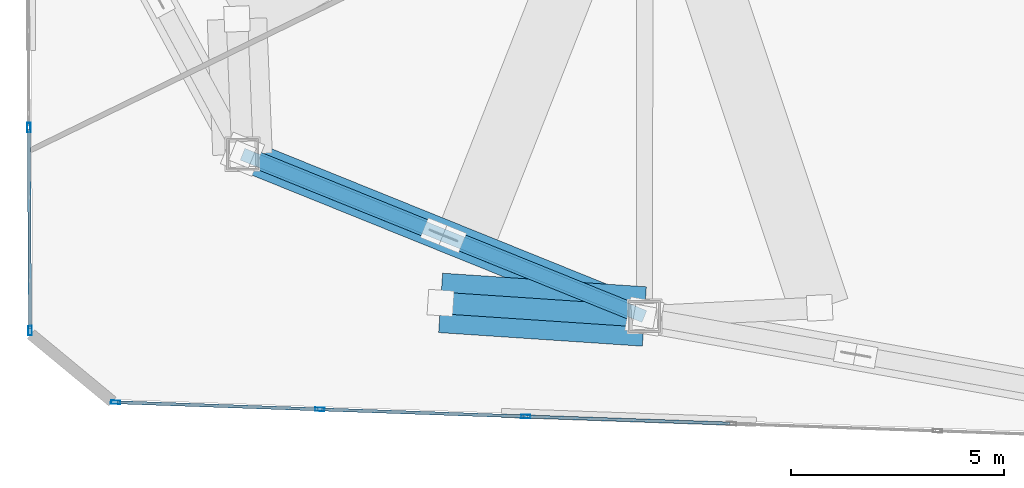
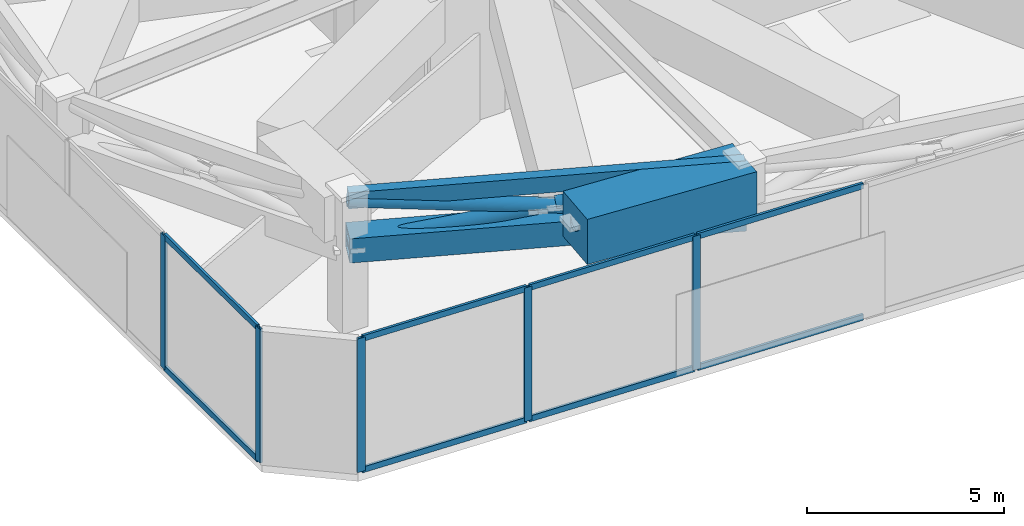
# One storey, part 2 of 25: 18 members, 2 beams, 2 elements without a shape of their own.
"""IFC4 building model written with IfcOpenShell, lengths in metres."""

from ifc_helpers import new_model, si_unit, direction, frame, origin, origin_2d, place, context, subcontext, project, spatial, rectangle, hollow_rectangle, hollow_circle, extrude, source, transform, mapped, material, layer, layer_set, material_profile, profile_set, type_object, type_shapes, element, aggregate, save


model = new_model("IFC4")

# Units and contexts
model_context = context("Model", 3, precision=1e-05, world=origin(), true_north=direction((0.0, 1.0)))
body_context = subcontext(model_context, "Body", "Model", "MODEL_VIEW")
ifc_project = project(units=[si_unit("LENGTHUNIT", "METRE"), si_unit("AREAUNIT", "SQUARE_METRE"), si_unit("VOLUMEUNIT", "CUBIC_METRE"), si_unit("PLANEANGLEUNIT", "RADIAN"), si_unit("MASSUNIT", "GRAM", prefix="KILO")], contexts=[model_context])

# Site, building, storey
site_placement = place(None, origin())
site = spatial("IfcSite", under=ifc_project, at=site_placement, CompositionType="ELEMENT")
building_placement = place(site_placement, origin())
building = spatial("IfcBuilding", under=site, at=building_placement, Name="Talar Marvaseh", CompositionType="ELEMENT")
storey_placement = place(building_placement, frame((0.0, 0.0, 84.800048828125)))
storey = spatial("IfcBuildingStorey", under=building, at=storey_placement, Name="L21", CompositionType="ELEMENT", Elevation=84.800048828125)

# Beams
ifc_material_1 = material(Name="Concrete C70/85", Category="concrete")
ifc_material_profile_1 = material_profile(ifc_material_1, rectangle(XDim=1.39990234375, YDim=1.39990234375, at=origin_2d()), Name="RC1400x1400")
ifc_profile_set_1 = profile_set([ifc_material_profile_1], Name="Concrete C70/85")
beam_type_1 = type_object("IfcBeamType", Name="Setback Deep Concrete Transfer Girder RC1400x1400", PredefinedType="BEAM", material=ifc_profile_set_1)
beam_1_placement = place(storey_placement, frame((18.68310546875, 12.97900390625, 3.449951171875), z_axis=(-0.997776827608, 0.066643846596, 0.0), x_axis=(-0.066643846596, -0.997776827608, 0.0)))
element("IfcBeam", 1, at=beam_1_placement, inside=storey, type_object=beam_type_1, Name="L21 Setback Cantilever Transfer Girder 7", PredefinedType="BEAM", context=body_context, shape_type="SweptSolid", body=[
    extrude(rectangle(XDim=1.39990234375, YDim=1.39990234375, at=origin_2d()), origin(), (0.0, 0.0, 1.0), 4.802734375),
])
ifc_material_2 = material(Name="Steel S355", Category="steel")
ifc_material_profile_2 = material_profile(ifc_material_2, hollow_rectangle(XDim=0.300048828125, YDim=0.5, WallThickness=0.02001953125, at=origin_2d()), Name="RHS500x300x20")
ifc_profile_set_2 = profile_set([ifc_material_profile_2], Name="Steel S355")
beam_type_2 = type_object("IfcBeamType", Name="Zone 1 Perimeter Spandrel Beam RHS500x300x20", PredefinedType="SPANDREL", material=ifc_profile_set_2)
beam_2_placement = place(storey_placement, frame((18.68310546875, 12.97900390625, 3.89990234375), z_axis=(-0.927239278118, 0.374469386084, 0.0), x_axis=(-0.374469386084, -0.927239278118, 0.0)))
element("IfcBeam", 2, at=beam_2_placement, inside=storey, type_object=beam_type_2, Name="L21 Zone 1 Perimeter Spandrel Beam RHS500x300x20", PredefinedType="SPANDREL", context=body_context, shape_type="SweptSolid", body=[
    extrude(hollow_rectangle(XDim=0.300048828125, YDim=0.5, WallThickness=0.02001953125, at=origin_2d()), origin(), (0.0, 0.0, 1.0), 10.19287109375),
])

# Members
ifc_material_3 = material(Name="Steel S460", Category="steel")
ifc_material_profile_3 = material_profile(ifc_material_3, hollow_circle(Radius=0.25390625, WallThickness=0.02001953125, at=origin_2d()), Name="CHS508x20")
ifc_profile_set_3 = profile_set([ifc_material_profile_3], Name="Steel S460")
member_type_1 = type_object("IfcMemberType", Name="Crown Frame Diagonal Brace CHS508x20", PredefinedType="BRACE", material=ifc_profile_set_3)
shared_shape_1 = source(origin(), body_context, "Body", "SweptSolid", [
    extrude(hollow_circle(Radius=0.25390625, WallThickness=0.02001953125, at=origin_2d()), origin(), (0.0, 0.0, 1.0), 4.927001953125),
])
type_shapes(member_type_1, [shared_shape_1])
member_1_placement = place(storey_placement, frame((18.68310546875, 12.97900390625, 2.550048828125), z_axis=(-0.972598741645, 0.064962143382, 0.223229943505), x_axis=(-0.066643846596, -0.997776827608, 0.0)))
element("IfcMember", 3, at=member_1_placement, inside=storey, type_object=member_type_1, Name="L21 Setback Transfer Raked Strut 7", PredefinedType="BRACE", context=body_context, shape_type="MappedRepresentation", body=[
    mapped(shared_shape_1, transform((0.0, 0.0, 0.0), x_axis=(1.0, 0.0, 0.0), y_axis=(0.0, 1.0, 0.0), z_axis=(0.0, 0.0, 1.0), scale=1.0)),
])
ifc_material_profile_4 = material_profile(ifc_material_3, hollow_rectangle(XDim=0.75, YDim=0.75, WallThickness=0.0400390625, at=origin_2d()), Name="BOX750x750x40")
ifc_profile_set_4 = profile_set([ifc_material_profile_4], Name="Steel S460")
member_type_2 = type_object("IfcMemberType", Name="Belt Truss Chord Member BOX750x750x40", PredefinedType="CHORD", material=ifc_profile_set_4)
shared_shape_2 = source(origin(), body_context, "Body", "SweptSolid", [
    extrude(hollow_rectangle(XDim=0.75, YDim=0.75, WallThickness=0.0400390625, at=origin_2d()), origin(), (0.0, 0.0, 1.0), 10.19287109375),
])
type_shapes(member_type_2, [shared_shape_2])
member_2_placement = place(storey_placement, frame((18.68310546875, 12.97900390625, 2.5), z_axis=(-0.927239278118, 0.374469386084, 0.0), x_axis=(-0.374469386084, -0.927239278118, 0.0)))
element("IfcMember", 4, at=member_2_placement, inside=storey, type_object=member_type_2, Name="L21 Belt Truss Bottom Chord 6", PredefinedType="CHORD", context=body_context, shape_type="MappedRepresentation", body=[
    mapped(shared_shape_2, transform((0.0, 0.0, 0.0), x_axis=(1.0, 0.0, 0.0), y_axis=(0.0, 1.0, 0.0), z_axis=(0.0, 0.0, 1.0), scale=1.0)),
])
ifc_material_profile_5 = material_profile(ifc_material_3, hollow_circle(Radius=0.203125, WallThickness=0.01611328125, at=origin_2d()), Name="CHS406x16")
ifc_profile_set_5 = profile_set([ifc_material_profile_5], Name="Steel S460")
member_type_3 = type_object("IfcMemberType", Name="Belt Truss Diagonal Brace CHS406x16", PredefinedType="BRACE", material=ifc_profile_set_5)
shared_shape_3 = source(origin(), body_context, "Body", "SweptSolid", [
    extrude(hollow_circle(Radius=0.203125, WallThickness=0.01611328125, at=origin_2d()), origin(), (0.0, 0.0, 1.0), 4.90087890625),
])
member_3_placement = place(storey_placement, frame((9.23193359375, 16.7958984375, 2.5), z_axis=(0.919208512609, -0.371230318446, 0.131315501801), x_axis=(0.374473019958, 0.927237810555, 0.0)))
element("IfcMember", 5, at=member_3_placement, inside=storey, type_object=member_type_3, Name="L21 Belt Truss Split Diagonal Lower 6", PredefinedType="BRACE", context=body_context, shape_type="MappedRepresentation", body=[
    mapped(shared_shape_3, transform((0.0, 0.0, 0.0), x_axis=(1.0, 0.0, 0.0), y_axis=(0.0, 1.0, 0.0), z_axis=(0.0, 0.0, 1.0), scale=1.0)),
])
shared_shape_4 = source(origin(), body_context, "Body", "SweptSolid", [
    extrude(hollow_circle(Radius=0.203125, WallThickness=0.01611328125, at=origin_2d()), origin(), (0.0, 0.0, 1.0), 10.28173828125),
])
member_4_placement = place(storey_placement, frame((18.68310546875, 12.97900390625, 2.5), z_axis=(-0.919213627034, 0.371228193972, 0.131285703241), x_axis=(-0.374469386084, -0.927239278118, 0.0)))
element("IfcMember", 6, at=member_4_placement, inside=storey, type_object=member_type_3, Name="L21 Belt Truss Continuous Diagonal 6", PredefinedType="BRACE", context=body_context, shape_type="MappedRepresentation", body=[
    mapped(shared_shape_4, transform((0.0, 0.0, 0.0), x_axis=(1.0, 0.0, 0.0), y_axis=(0.0, 1.0, 0.0), z_axis=(0.0, 0.0, 1.0), scale=1.0)),
])
shared_shape_5 = source(origin(), body_context, "Body", "SweptSolid", [
    extrude(hollow_circle(Radius=0.203125, WallThickness=0.01611328125, at=origin_2d()), origin(), (0.0, 0.0, 1.0), 4.901123046875),
])
type_shapes(member_type_3, [shared_shape_3, shared_shape_4, shared_shape_5])
member_5_placement = place(storey_placement, frame((14.177978515625, 14.79833984375, 3.20654296875), z_axis=(0.919222247914, -0.371215747654, 0.131260533423), x_axis=(0.374455572154, 0.927244856811, 0.0)))
element("IfcMember", 7, at=member_5_placement, inside=storey, type_object=member_type_3, Name="L21 Belt Truss Split Diagonal Upper 6", PredefinedType="BRACE", context=body_context, shape_type="MappedRepresentation", body=[
    mapped(shared_shape_5, transform((0.0, 0.0, 0.0), x_axis=(1.0, 0.0, 0.0), y_axis=(0.0, 1.0, 0.0), z_axis=(0.0, 0.0, 1.0), scale=1.0)),
])

# Curtain wall, members
ifc_material_4 = material(Name="Architectural Aluminium", Category="aluminium")
ifc_layer = layer(ifc_material_4, 0.219970703125)
ifc_layer_set = layer_set([ifc_layer], Name="Architectural Aluminium")
curtain_wall_type = type_object("IfcCurtainWallType", Name="Unitised Low-E Museum Curtain Wall Z1", PredefinedType="NOTDEFINED", material=ifc_layer_set)
curtain_wall_1_placement = place(storey_placement, origin())
curtain_wall_1 = element("IfcCurtainWall", 8, at=curtain_wall_1_placement, inside=storey, type_object=curtain_wall_type, Name="L21 Unitised Low-E Museum Curtain Wall Z1", PredefinedType="NOTDEFINED")
ifc_material_profile_6 = material_profile(ifc_material_4, hollow_rectangle(XDim=0.074951171875, YDim=0.179931640625, WallThickness=0.0048828125, at=origin_2d()), Name="RHS180x75x5")
ifc_profile_set_6 = profile_set([ifc_material_profile_6], Name="Architectural Aluminium")
member_type_4 = type_object("IfcMemberType", Name="Unitised Curtain Wall Transom RHS180x75x5", PredefinedType="USERDEFINED", material=ifc_profile_set_6)
shared_shape_6 = source(origin(), body_context, "Body", "SweptSolid", [
    extrude(hollow_rectangle(XDim=0.074951171875, YDim=0.179931640625, WallThickness=0.0048828125, at=origin_2d()), origin(), (0.0, 0.0, 1.0), 4.725341796875),
])
member_6_placement = place(storey_placement, frame((11.010009765625, 10.796630859375, 0.037353515625), z_axis=(-0.999395274355, 0.034771908165, 0.0), x_axis=(-0.034771908165, -0.999395274355, 0.0)))
member_6 = element("IfcMember", 9, at=member_6_placement, type_object=member_type_4, Name="CW-Z1 transom 5.1", ObjectType="TRANSOM", PredefinedType="USERDEFINED", context=body_context, shape_type="MappedRepresentation", body=[
    mapped(shared_shape_6, transform((0.0, 0.0, 0.0), x_axis=(1.0, 0.0, 0.0), y_axis=(0.0, 1.0, 0.0), z_axis=(0.0, 0.0, 1.0), scale=1.0)),
])
member_7_placement = place(storey_placement, frame((11.010009765625, 10.796630859375, 4.112548828125), z_axis=(-0.999395274355, 0.034771908165, 0.0), x_axis=(-0.034771908165, -0.999395274355, 0.0)))
member_7 = element("IfcMember", 10, at=member_7_placement, type_object=member_type_4, Name="CW-Z1 transom 5.2", ObjectType="TRANSOM", PredefinedType="USERDEFINED", context=body_context, shape_type="MappedRepresentation", body=[
    mapped(shared_shape_6, transform((0.0, 0.0, 0.0), x_axis=(1.0, 0.0, 0.0), y_axis=(0.0, 1.0, 0.0), z_axis=(0.0, 0.0, 1.0), scale=1.0)),
])
shared_shape_7 = source(origin(), body_context, "Body", "SweptSolid", [
    extrude(hollow_rectangle(XDim=0.074951171875, YDim=0.179931640625, WallThickness=0.0048828125, at=origin_2d()), origin(), (0.0, 0.0, 1.0), 4.765380859375),
])
member_8_placement = place(storey_placement, frame((20.69482421875, 10.4599609375, 0.037353515625), z_axis=(-0.999396530729, 0.034735779353, 0.0), x_axis=(-0.034735779353, -0.999396530729, 0.0)))
member_8 = element("IfcMember", 11, at=member_8_placement, type_object=member_type_4, Name="CW-Z1 transom 3.1", ObjectType="TRANSOM", PredefinedType="USERDEFINED", context=body_context, shape_type="MappedRepresentation", body=[
    mapped(shared_shape_7, transform((0.0, 0.0, 0.0), x_axis=(1.0, 0.0, 0.0), y_axis=(0.0, 1.0, 0.0), z_axis=(0.0, 0.0, 1.0), scale=1.0)),
])
member_9_placement = place(storey_placement, frame((20.69482421875, 10.4599609375, 4.112548828125), z_axis=(-0.999396530729, 0.034735779353, 0.0), x_axis=(-0.034735779353, -0.999396530729, 0.0)))
member_9 = element("IfcMember", 12, at=member_9_placement, type_object=member_type_4, Name="CW-Z1 transom 3.2", ObjectType="TRANSOM", PredefinedType="USERDEFINED", context=body_context, shape_type="MappedRepresentation", body=[
    mapped(shared_shape_7, transform((0.0, 0.0, 0.0), x_axis=(1.0, 0.0, 0.0), y_axis=(0.0, 1.0, 0.0), z_axis=(0.0, 0.0, 1.0), scale=1.0)),
])
member_10_placement = place(storey_placement, frame((15.8525390625, 10.62841796875, 0.037353515625), z_axis=(-0.999396530729, 0.034735779353, 0.0), x_axis=(-0.034735779353, -0.999396530729, 0.0)))
member_10 = element("IfcMember", 13, at=member_10_placement, type_object=member_type_4, Name="CW-Z1 transom 4.1", ObjectType="TRANSOM", PredefinedType="USERDEFINED", context=body_context, shape_type="MappedRepresentation", body=[
    mapped(shared_shape_7, transform((0.0, 0.0, 0.0), x_axis=(1.0, 0.0, 0.0), y_axis=(0.0, 1.0, 0.0), z_axis=(0.0, 0.0, 1.0), scale=1.0)),
])
member_11_placement = place(storey_placement, frame((15.8525390625, 10.62841796875, 4.112548828125), z_axis=(-0.999396530729, 0.034735779353, 0.0), x_axis=(-0.034735779353, -0.999396530729, 0.0)))
member_11 = element("IfcMember", 14, at=member_11_placement, type_object=member_type_4, Name="CW-Z1 transom 4.2", ObjectType="TRANSOM", PredefinedType="USERDEFINED", context=body_context, shape_type="MappedRepresentation", body=[
    mapped(shared_shape_7, transform((0.0, 0.0, 0.0), x_axis=(1.0, 0.0, 0.0), y_axis=(0.0, 1.0, 0.0), z_axis=(0.0, 0.0, 1.0), scale=1.0)),
])

curtain_wall_2_placement = place(storey_placement, origin())
curtain_wall_2 = element("IfcCurtainWall", 15, at=curtain_wall_2_placement, inside=storey, type_object=curtain_wall_type, Name="L21 Unitised Low-E Museum Curtain Wall Z1", PredefinedType="NOTDEFINED")
shared_shape_8 = source(origin(), body_context, "Body", "SweptSolid", [
    extrude(hollow_rectangle(XDim=0.074951171875, YDim=0.179931640625, WallThickness=0.0048828125, at=origin_2d()), origin(), (0.0, 0.0, 1.0), 4.696533203125),
])
type_shapes(member_type_4, [shared_shape_6, shared_shape_7, shared_shape_8])
member_12_placement = place(storey_placement, frame((4.234619140625, 12.685791015625, 0.037353515625), z_axis=(-0.006081916935, 0.999981504972, 0.0), x_axis=(-0.999981504972, -0.006081916935, 0.0)))
member_12 = element("IfcMember", 16, at=member_12_placement, type_object=member_type_4, Name="CW-Z1 transom 1.1", ObjectType="TRANSOM", PredefinedType="USERDEFINED", context=body_context, shape_type="MappedRepresentation", body=[
    mapped(shared_shape_8, transform((0.0, 0.0, 0.0), x_axis=(1.0, 0.0, 0.0), y_axis=(0.0, 1.0, 0.0), z_axis=(0.0, 0.0, 1.0), scale=1.0)),
])
member_13_placement = place(storey_placement, frame((4.234619140625, 12.685791015625, 4.112548828125), z_axis=(-0.006081916935, 0.999981504972, 0.0), x_axis=(-0.999981504972, -0.006081916935, 0.0)))
member_13 = element("IfcMember", 17, at=member_13_placement, type_object=member_type_4, Name="CW-Z1 transom 1.2", ObjectType="TRANSOM", PredefinedType="USERDEFINED", context=body_context, shape_type="MappedRepresentation", body=[
    mapped(shared_shape_8, transform((0.0, 0.0, 0.0), x_axis=(1.0, 0.0, 0.0), y_axis=(0.0, 1.0, 0.0), z_axis=(0.0, 0.0, 1.0), scale=1.0)),
])
ifc_material_profile_7 = material_profile(ifc_material_4, hollow_rectangle(XDim=0.080078125, YDim=0.219970703125, WallThickness=0.0048828125, at=origin_2d()), Name="RHS220x80x5")
ifc_profile_set_7 = profile_set([ifc_material_profile_7], Name="Architectural Aluminium")
member_type_5 = type_object("IfcMemberType", Name="Unitised Curtain Wall Heavy Mullion RHS220x80x5", PredefinedType="MULLION", material=ifc_profile_set_7)
shared_shape_9 = source(origin(), body_context, "Body", "SweptSolid", [
    extrude(hollow_rectangle(XDim=0.080078125, YDim=0.219970703125, WallThickness=0.0048828125, at=origin_2d()), origin(), (0.0, 0.0, 1.0), 4.14990234375),
])
type_shapes(member_type_5, [shared_shape_9])
member_14_placement = place(storey_placement, frame((4.23486328125, 12.645751953125, 0.0), z_axis=(0.0, 0.0, 1.0), x_axis=(-0.999981749429, -0.006041589923, 0.0)))
member_14 = element("IfcMember", 18, at=member_14_placement, type_object=member_type_5, Name="CW-Z1 mullion 1", PredefinedType="MULLION", context=body_context, shape_type="MappedRepresentation", body=[
    mapped(shared_shape_9, transform((0.0, 0.0, 0.0), x_axis=(1.0, 0.0, 0.0), y_axis=(0.0, 1.0, 0.0), z_axis=(0.0, 0.0, 1.0), scale=1.0)),
])
member_15_placement = place(storey_placement, frame((4.205810546875, 17.42236328125, 0.0), z_axis=(0.0, 0.0, 1.0), x_axis=(-0.999981749429, -0.006041589923, 0.0)))
member_15 = element("IfcMember", 19, at=member_15_placement, type_object=member_type_5, Name="CW-Z1 mullion 2", PredefinedType="MULLION", context=body_context, shape_type="MappedRepresentation", body=[
    mapped(shared_shape_9, transform((0.0, 0.0, 0.0), x_axis=(1.0, 0.0, 0.0), y_axis=(0.0, 1.0, 0.0), z_axis=(0.0, 0.0, 1.0), scale=1.0)),
])
aggregate(curtain_wall_2, [member_14, member_15, member_12, member_13])

# Member
member_16_placement = place(storey_placement, frame((15.892333984375, 10.626953125, 0.0), z_axis=(0.0, 0.0, 1.0), x_axis=(-0.03474674558, -0.999396149518, 0.0)))
member_16 = element("IfcMember", 20, at=member_16_placement, type_object=member_type_5, Name="CW-Z1 mullion 4", PredefinedType="MULLION", context=body_context, shape_type="MappedRepresentation", body=[
    mapped(shared_shape_9, transform((0.0, 0.0, 0.0), x_axis=(1.0, 0.0, 0.0), y_axis=(0.0, 1.0, 0.0), z_axis=(0.0, 0.0, 1.0), scale=1.0)),
])

member_17_placement = place(storey_placement, frame((11.050048828125, 10.79541015625, 0.0), z_axis=(0.0, 0.0, 1.0), x_axis=(-0.03474674558, -0.999396149518, 0.0)))
member_17 = element("IfcMember", 21, at=member_17_placement, type_object=member_type_5, Name="CW-Z1 mullion 5", PredefinedType="MULLION", context=body_context, shape_type="MappedRepresentation", body=[
    mapped(shared_shape_9, transform((0.0, 0.0, 0.0), x_axis=(1.0, 0.0, 0.0), y_axis=(0.0, 1.0, 0.0), z_axis=(0.0, 0.0, 1.0), scale=1.0)),
])

member_18_placement = place(storey_placement, frame((6.24755859375, 10.96240234375, 0.0), z_axis=(0.0, 0.0, 1.0), x_axis=(-0.03474674558, -0.999396149518, 0.0)))
member_18 = element("IfcMember", 22, at=member_18_placement, type_object=member_type_5, Name="CW-Z1 mullion 6", PredefinedType="MULLION", context=body_context, shape_type="MappedRepresentation", body=[
    mapped(shared_shape_9, transform((0.0, 0.0, 0.0), x_axis=(1.0, 0.0, 0.0), y_axis=(0.0, 1.0, 0.0), z_axis=(0.0, 0.0, 1.0), scale=1.0)),
])

aggregate(curtain_wall_1, [member_16, member_17, member_18, member_8, member_9, member_10, member_11, member_6, member_7])

save(model, "model.ifc")
